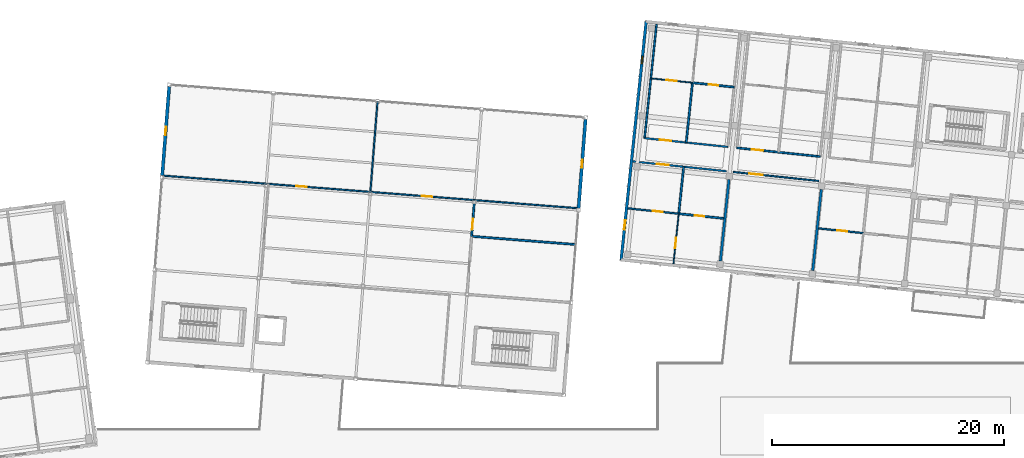
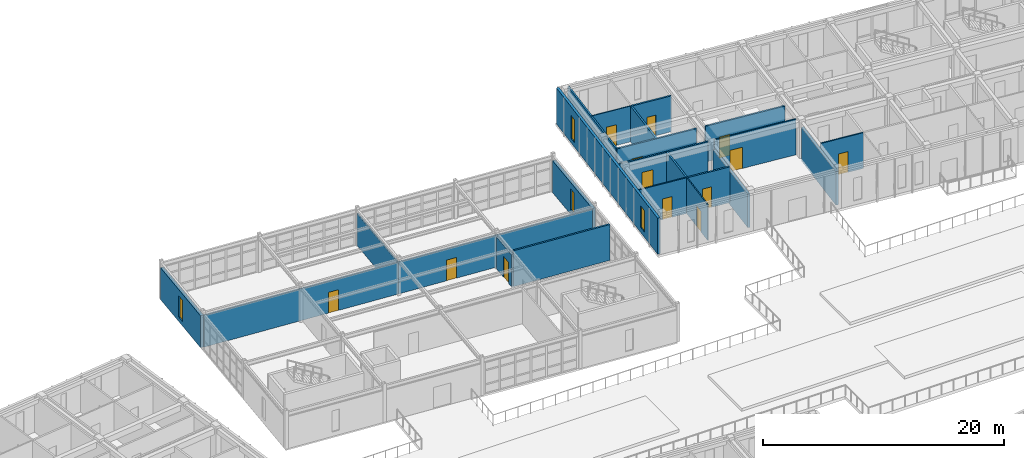
# One storey, part 98 of 150: 23 walls, 13 doors, 4 windows, 17 openings.
"""IFC4 building model written with IfcOpenShell, lengths in metres."""

from ifc_helpers import new_model, si_unit, direction, frame, frame_2d, origin, place, context, subcontext, project, spatial, rectangle, extrude, material, layer, layer_set, type_object, element, fill, save


model = new_model("IFC4")

# Units and contexts
model_context = context("Model", 3, precision=1e-05, world=origin(), true_north=direction((0.0, 1.0)))
body_context = subcontext(model_context, "Body", "Model", "MODEL_VIEW")
ifc_project = project(units=[si_unit("LENGTHUNIT", "METRE"), si_unit("AREAUNIT", "SQUARE_METRE"), si_unit("VOLUMEUNIT", "CUBIC_METRE"), si_unit("PLANEANGLEUNIT", "RADIAN"), si_unit("MASSUNIT", "GRAM", prefix="KILO")], contexts=[model_context])

# Site, building, storey
site_placement = place(None, origin())
site = spatial("IfcSite", under=ifc_project, at=site_placement, CompositionType="ELEMENT")
building_placement = place(site_placement, origin())
building = spatial("IfcBuilding", under=site, at=building_placement, Name="Kestramere Prow Commons", CompositionType="ELEMENT")
storey_placement = place(building_placement, frame((0.0, 0.0, 4.5)))
storey = spatial("IfcBuildingStorey", under=building, at=storey_placement, Name="L01", CompositionType="ELEMENT", Elevation=4.5)

# Wall, opening, window
ifc_material_1 = material(Name="Precast concrete C40/50", Category="concrete")
ifc_layer_1 = layer(ifc_material_1, 0.280029296875)
ifc_layer_set_1 = layer_set([ifc_layer_1], Name="Precast concrete C40/50")
wall_type_1 = type_object("IfcWallType", Name="EW-CIVIC-280", PredefinedType="SOLIDWALL", material=ifc_layer_set_1)
wall_1_placement = place(storey_placement, frame((69.8671875, 101.60009765625, 0.0), z_axis=(0.0, 0.0, 1.0), x_axis=(0.078442108986, 0.996918670473, 0.0)))
wall_1 = element("IfcWall", 1, at=wall_1_placement, inside=storey, type_object=wall_type_1, Name="Nursery L01 W Wall 3", PredefinedType="SOLIDWALL", context=body_context, shape_type="SweptSolid", body=[
    extrude(rectangle(XDim=7.699951171875, YDim=0.280029296875, at=frame_2d((3.85009765625, 0.0))), origin(), (0.0, 0.0, 1.0), 3.22998046875),
])
opening_1_placement = place(wall_1_placement, frame((3.5, 0.0, 0.449951171875)))
opening_1 = element("IfcOpeningElement", 2, at=opening_1_placement, cuts=wall_1, Name="Opening WN-16", PredefinedType="OPENING", context=body_context, shape_type="SweptSolid", body=[
    extrude(rectangle(XDim=0.699951171875, YDim=2.139892578125, at=frame_2d((0.35009765625, 1.06982421875))), frame((0.0, 0.155029296875, 0.0), z_axis=(0.0, -1.0, 0.0), x_axis=(1.0, 0.0, 0.0)), (0.0, 0.0, 1.0), 0.31005859375),
])
ifc_material_2 = material(Name="Low-E Laminated Double Glazing", Category="glass")
window_type_1 = type_object("IfcWindowType", Name="WN-CIV-700", PartitioningType="SINGLE_PANEL", PredefinedType="WINDOW", material=ifc_material_2)
window_1_placement = place(opening_1_placement, origin())
window_1 = element("IfcWindow", 3, at=window_1_placement, inside=storey, type_object=window_type_1, Name="WN-NR-L01-W-2", OverallHeight=2.139892578125, OverallWidth=0.699951171875, PartitioningType="SINGLE_PANEL", PredefinedType="WINDOW", context=body_context, shape_type="SweptSolid", body=[
    extrude(rectangle(XDim=0.699951171875, YDim=2.139892578125, at=frame_2d((0.35009765625, 1.06982421875))), frame((0.0, 0.030029296875, 0.0), z_axis=(0.0, -1.0, 0.0), x_axis=(1.0, 0.0, 0.0)), (0.0, 0.0, 1.0), 0.06005859375),
])
fill(opening_1, window_1)

wall_2_placement = place(storey_placement, frame((106.3603515625, 106.451904296875, 0.0), z_axis=(0.0, 0.0, 1.0), x_axis=(-0.078473620365, -0.996916190513, 0.0)))
wall_2 = element("IfcWall", 4, at=wall_2_placement, inside=storey, type_object=wall_type_1, Name="Nursery L01 E Wall 3", PredefinedType="SOLIDWALL", context=body_context, shape_type="SweptSolid", body=[
    extrude(rectangle(XDim=7.699951171875, YDim=0.280029296875, at=frame_2d((3.85009765625, 0.0))), origin(), (0.0, 0.0, 1.0), 3.22998046875),
])
opening_2_placement = place(wall_2_placement, frame((3.5, 0.0, 0.449951171875)))
opening_2 = element("IfcOpeningElement", 5, at=opening_2_placement, cuts=wall_2, Name="Opening WN-16", PredefinedType="OPENING", context=body_context, shape_type="SweptSolid", body=[
    extrude(rectangle(XDim=0.699951171875, YDim=2.139892578125, at=frame_2d((0.35009765625, 1.06982421875))), frame((0.0, 0.155029296875, 0.0), z_axis=(0.0, -1.0, 0.0), x_axis=(1.0, 0.0, 0.0)), (0.0, 0.0, 1.0), 0.31005859375),
])
window_2_placement = place(opening_2_placement, origin())
window_2 = element("IfcWindow", 6, at=window_2_placement, inside=storey, type_object=window_type_1, Name="WN-NR-L01-E-2", OverallHeight=2.139892578125, OverallWidth=0.699951171875, PartitioningType="SINGLE_PANEL", PredefinedType="WINDOW", context=body_context, shape_type="SweptSolid", body=[
    extrude(rectangle(XDim=0.699951171875, YDim=2.139892578125, at=frame_2d((0.35009765625, 1.06982421875))), frame((0.0, 0.030029296875, 0.0), z_axis=(0.0, -1.0, 0.0), x_axis=(1.0, 0.0, 0.0)), (0.0, 0.0, 1.0), 0.06005859375),
])
fill(opening_2, window_2)

# Wall, openings, windows
ifc_material_3 = material(Name="Fluoropolymer Standing-Seam Zinc-Aluminium Cladding", Category="aluminium")
ifc_layer_2 = layer(ifc_material_3, 0.239990234375)
ifc_layer_set_2 = layer_set([ifc_layer_2], Name="Fluoropolymer Standing-Seam Zinc-Aluminium Cladding")
wall_type_2 = type_object("IfcWallType", Name="EW-SEAM-240", PredefinedType="SOLIDWALL", material=ifc_layer_set_2)
wall_3_placement = place(storey_placement, frame((109.423095703125, 94.332763671875, 0.0), z_axis=(0.0, 0.0, 1.0), x_axis=(0.1045253859, 0.994522218808, 0.0)))
wall_3 = element("IfcWall", 7, at=wall_3_placement, inside=storey, type_object=wall_type_2, Name="Block B L01 EAV Facet Wall", PredefinedType="SOLIDWALL", context=body_context, shape_type="SweptSolid", body=[
    extrude(rectangle(XDim=20.64990234375, YDim=0.239990234375, at=frame_2d((10.324951171875, 0.0))), origin(), (0.0, 0.0, 1.0), 3.64990234375),
])
opening_3_placement = place(wall_3_placement, frame((2.6298828125, 0.0, 0.52001953125)))
opening_3 = element("IfcOpeningElement", 8, at=opening_3_placement, cuts=wall_3, Name="Opening WN-13", PredefinedType="OPENING", context=body_context, shape_type="SweptSolid", body=[
    extrude(rectangle(XDim=0.820068359375, YDim=2.179931640625, at=frame_2d((0.41015625, 1.08984375))), frame((0.0, 0.135009765625, 0.0), z_axis=(0.0, -1.0, 0.0), x_axis=(1.0, 0.0, 0.0)), (0.0, 0.0, 1.0), 0.27001953125),
])
opening_4_placement = place(wall_3_placement, frame((17.0, 0.0, 0.449951171875)))
opening_4 = element("IfcOpeningElement", 9, at=opening_4_placement, cuts=wall_3, Name="Opening WN-05", PredefinedType="OPENING", context=body_context, shape_type="SweptSolid", body=[
    extrude(rectangle(XDim=0.659912109375, YDim=2.320068359375, at=frame_2d((0.330078125, 1.16015625))), frame((0.0, 0.135009765625, 0.0), z_axis=(0.0, -1.0, 0.0), x_axis=(1.0, 0.0, 0.0)), (0.0, 0.0, 1.0), 0.27001953125),
])
window_type_2 = type_object("IfcWindowType", Name="WN-NAR-660A", PartitioningType="SINGLE_PANEL", PredefinedType="WINDOW", material=ifc_material_2)
window_3_placement = place(opening_4_placement, origin())
window_3 = element("IfcWindow", 10, at=window_3_placement, inside=storey, type_object=window_type_2, Name="WN-B-L01-EAV-1", OverallHeight=2.320068359375, OverallWidth=0.659912109375, PartitioningType="SINGLE_PANEL", PredefinedType="WINDOW", context=body_context, shape_type="SweptSolid", body=[
    extrude(rectangle(XDim=0.659912109375, YDim=2.320068359375, at=frame_2d((0.330078125, 1.16015625))), frame((0.0, 0.030029296875, 0.0), z_axis=(0.0, -1.0, 0.0), x_axis=(1.0, 0.0, 0.0)), (0.0, 0.0, 1.0), 0.06005859375),
])
fill(opening_4, window_3)
window_type_3 = type_object("IfcWindowType", Name="WN-NAR-820A", PartitioningType="DOUBLE_PANEL_VERTICAL", PredefinedType="WINDOW", material=ifc_material_2)
window_4_placement = place(opening_3_placement, origin())
window_4 = element("IfcWindow", 11, at=window_4_placement, inside=storey, type_object=window_type_3, Name="WN-B-L01-EAV-0", OverallHeight=2.179931640625, OverallWidth=0.820068359375, PartitioningType="SINGLE_PANEL", PredefinedType="WINDOW", context=body_context, shape_type="SweptSolid", body=[
    extrude(rectangle(XDim=0.820068359375, YDim=2.179931640625, at=frame_2d((0.41015625, 1.08984375))), frame((0.0, 0.030029296875, 0.0), z_axis=(0.0, -1.0, 0.0), x_axis=(1.0, 0.0, 0.0)), (0.0, 0.0, 1.0), 0.06005859375),
])
fill(opening_3, window_4)

# Wall, opening, door
ifc_material_4 = material(Name="Fire-Rated Calcium Silicate Wall")
ifc_layer_3 = layer(ifc_material_4, 0.155029296875)
ifc_layer_set_3 = layer_set([ifc_layer_3], Name="Fire-Rated Calcium Silicate Wall")
wall_type_3 = type_object("IfcWallType", Name="W-FIRE-150", PredefinedType="PARTITIONING", material=ifc_layer_set_3)
wall_4_placement = place(storey_placement, frame((110.445556640625, 102.8173828125, 0.0), z_axis=(0.0, 0.0, 1.0), x_axis=(0.994522594842, -0.104521808006, 0.0)))
wall_4 = element("IfcWall", 12, at=wall_4_placement, inside=storey, type_object=wall_type_3, Name="Interior Partition PW-B-L01-CS-0", PredefinedType="PARTITIONING", context=body_context, shape_type="SweptSolid", body=[
    extrude(rectangle(XDim=8.10986328125, YDim=0.155029296875, at=frame_2d((4.054931640625, 0.0))), origin(), (0.0, 0.0, 1.0), 3.6201171875),
])
opening_5_placement = place(wall_4_placement, frame((2.0849609375, 0.0, 0.0)))
opening_5 = element("IfcOpeningElement", 13, at=opening_5_placement, cuts=wall_4, Name="Opening ID-05", PredefinedType="OPENING", context=body_context, shape_type="SweptSolid", body=[
    extrude(rectangle(XDim=1.02001953125, YDim=2.199951171875, at=frame_2d((0.510009765625, 1.10009765625))), frame((0.0, 0.092529296875, 0.0), z_axis=(0.0, -1.0, 0.0), x_axis=(1.0, 0.0, 0.0)), (0.0, 0.0, 1.0), 0.18505859375),
])
ifc_material_5 = material(Name="Hardwood Fire-Rated Flat Entrance Door", Category="wood")
door_type_1 = type_object("IfcDoorType", Name="FD-ENT-02", OperationType="NOTDEFINED", PredefinedType="DOOR", material=ifc_material_5)
door_1_placement = place(opening_5_placement, origin())
door_1 = element("IfcDoor", 14, at=door_1_placement, inside=storey, type_object=door_type_1, Name="Interior Door DR-B-L01-ENT-S0", OperationType="SINGLE_SWING_RIGHT", OverallHeight=2.199951171875, OverallWidth=1.02001953125, PredefinedType="DOOR", context=body_context, shape_type="SweptSolid", body=[
    extrude(rectangle(XDim=1.02001953125, YDim=2.199951171875, at=frame_2d((0.510009765625, 1.10009765625))), frame((0.0, 0.02490234375, 0.0), z_axis=(0.0, -1.0, 0.0), x_axis=(1.0, 0.0, 0.0)), (0.0, 0.0, 1.0), 0.050048828125),
])
fill(opening_5, door_1)

wall_5_placement = place(storey_placement, frame((111.44580078125, 104.82373046875, 0.0), z_axis=(0.0, 0.0, 1.0), x_axis=(0.994522671024, -0.104521083137, 0.0)))
wall_5 = element("IfcWall", 15, at=wall_5_placement, inside=storey, type_object=wall_type_3, Name="Interior Partition PW-B-L01-CN-0", PredefinedType="PARTITIONING", context=body_context, shape_type="SweptSolid", body=[
    extrude(rectangle(XDim=7.219970703125, YDim=0.155029296875, at=frame_2d((3.60986328125, 0.0))), origin(), (0.0, 0.0, 1.0), 3.6201171875),
])
opening_6_placement = place(wall_5_placement, frame((1.304931640625, 0.0, 0.0)))
opening_6 = element("IfcOpeningElement", 16, at=opening_6_placement, cuts=wall_5, Name="Opening ID-05", PredefinedType="OPENING", context=body_context, shape_type="SweptSolid", body=[
    extrude(rectangle(XDim=1.02001953125, YDim=2.199951171875, at=frame_2d((0.510009765625, 1.10009765625))), frame((0.0, 0.092529296875, 0.0), z_axis=(0.0, -1.0, 0.0), x_axis=(1.0, 0.0, 0.0)), (0.0, 0.0, 1.0), 0.18505859375),
])
door_2_placement = place(opening_6_placement, origin())
door_2 = element("IfcDoor", 17, at=door_2_placement, inside=storey, type_object=door_type_1, Name="Interior Door DR-B-L01-ENT-N0", OperationType="SINGLE_SWING_RIGHT", OverallHeight=2.199951171875, OverallWidth=1.02001953125, PredefinedType="DOOR", context=body_context, shape_type="SweptSolid", body=[
    extrude(rectangle(XDim=1.02001953125, YDim=2.199951171875, at=frame_2d((0.510009765625, 1.10009765625))), frame((0.0, 0.02490234375, 0.0), z_axis=(0.0, -1.0, 0.0), x_axis=(1.0, 0.0, 0.0)), (0.0, 0.0, 1.0), 0.050048828125),
])
fill(opening_6, door_2)

wall_6_placement = place(storey_placement, frame((119.40185546875, 103.987548828125, 0.0), z_axis=(0.0, 0.0, 1.0), x_axis=(0.994522671024, -0.104521083137, 0.0)))
wall_6 = element("IfcWall", 18, at=wall_6_placement, inside=storey, type_object=wall_type_3, Name="Interior Partition PW-B-L01-CN-1", PredefinedType="PARTITIONING", context=body_context, shape_type="SweptSolid", body=[
    extrude(rectangle(XDim=7.219970703125, YDim=0.155029296875, at=frame_2d((3.60986328125, 0.0))), origin(), (0.0, 0.0, 1.0), 3.6201171875),
])
opening_7_placement = place(wall_6_placement, frame((1.304931640625, 0.0, 0.0)))
opening_7 = element("IfcOpeningElement", 19, at=opening_7_placement, cuts=wall_6, Name="Opening ID-04", PredefinedType="OPENING", context=body_context, shape_type="SweptSolid", body=[
    extrude(rectangle(XDim=0.97998046875, YDim=2.14990234375, at=frame_2d((0.489990234375, 1.074951171875))), frame((0.0, 0.092529296875, 0.0), z_axis=(0.0, -1.0, 0.0), x_axis=(1.0, 0.0, 0.0)), (0.0, 0.0, 1.0), 0.18505859375),
])
door_type_2 = type_object("IfcDoorType", Name="FD-ENT-01", OperationType="NOTDEFINED", PredefinedType="DOOR", material=ifc_material_5)
door_3_placement = place(opening_7_placement, origin())
door_3 = element("IfcDoor", 20, at=door_3_placement, inside=storey, type_object=door_type_2, Name="Interior Door DR-B-L01-ENT-N1", OperationType="SINGLE_SWING_LEFT", OverallHeight=2.14990234375, OverallWidth=0.97998046875, PredefinedType="DOOR", context=body_context, shape_type="SweptSolid", body=[
    extrude(rectangle(XDim=0.97998046875, YDim=2.14990234375, at=frame_2d((0.489990234375, 1.074951171875))), frame((0.0, 0.02490234375, 0.0), z_axis=(0.0, -1.0, 0.0), x_axis=(1.0, 0.0, 0.0)), (0.0, 0.0, 1.0), 0.050048828125),
])
fill(opening_7, door_3)

ifc_material_6 = material(Name="Lightweight Blockwork and Plaster", Category="masonry")
ifc_layer_4 = layer(ifc_material_6, 0.1201171875)
ifc_layer_set_4 = layer_set([ifc_layer_4], Name="Lightweight Blockwork and Plaster")
wall_type_4 = type_object("IfcWallType", Name="W-PART-120", PredefinedType="PARTITIONING", material=ifc_layer_set_4)
wall_7_placement = place(storey_placement, frame((70.026611328125, 101.587646484375, 0.0), z_axis=(0.0, 0.0, 1.0), x_axis=(0.996917529869, -0.078456603549, 0.0)))
wall_7 = element("IfcWall", 21, at=wall_7_placement, inside=storey, type_object=wall_type_4, Name="Interior Partition PW-NR-L01-CN1", PredefinedType="PARTITIONING", context=body_context, shape_type="SweptSolid", body=[
    extrude(rectangle(XDim=17.83984375, YDim=0.1201171875, at=frame_2d((8.919921875, 0.0))), origin(), (0.0, 0.0, 1.0), 3.24365234375),
])
opening_8_placement = place(wall_7_placement, frame((11.449951171875, 0.0, 0.0)))
opening_8 = element("IfcOpeningElement", 22, at=opening_8_placement, cuts=wall_7, Name="Opening ID-08", PredefinedType="OPENING", context=body_context, shape_type="SweptSolid", body=[
    extrude(rectangle(XDim=0.89990234375, YDim=2.10009765625, at=frame_2d((0.449951171875, 1.050048828125))), frame((0.0, 0.074951171875, 0.0), z_axis=(0.0, -1.0, 0.0), x_axis=(1.0, 0.0, 0.0)), (0.0, 0.0, 1.0), 0.150146484375),
])
ifc_material_7 = material(Name="Engineered Timber Flush Door", Category="wood")
door_type_3 = type_object("IfcDoorType", Name="D-RM-01", OperationType="NOTDEFINED", PredefinedType="DOOR", material=ifc_material_7)
door_4_placement = place(opening_8_placement, origin())
door_4 = element("IfcDoor", 23, at=door_4_placement, inside=storey, type_object=door_type_3, Name="Interior Door DR-NR-L01-N1", OperationType="SINGLE_SWING_RIGHT", OverallHeight=2.10009765625, OverallWidth=0.89990234375, PredefinedType="DOOR", context=body_context, shape_type="SweptSolid", body=[
    extrude(rectangle(XDim=0.89990234375, YDim=2.10009765625, at=frame_2d((0.449951171875, 1.050048828125))), frame((0.0, 0.02490234375, 0.0), z_axis=(0.0, -1.0, 0.0), x_axis=(1.0, 0.0, 0.0)), (0.0, 0.0, 1.0), 0.050048828125),
])
fill(opening_8, door_4)

wall_8_placement = place(storey_placement, frame((87.8115234375, 100.18798828125, 0.0), z_axis=(0.0, 0.0, 1.0), x_axis=(0.996917614105, -0.078455533188, 0.0)))
wall_8 = element("IfcWall", 24, at=wall_8_placement, inside=storey, type_object=wall_type_4, Name="Interior Partition PW-NR-L01-CN2", PredefinedType="PARTITIONING", context=body_context, shape_type="SweptSolid", body=[
    extrude(rectangle(XDim=17.840087890625, YDim=0.1201171875, at=frame_2d((8.919921875, 0.0))), origin(), (0.0, 0.0, 1.0), 3.24365234375),
])
opening_9_placement = place(wall_8_placement, frame((4.449951171875, 0.0, 0.0)))
opening_9 = element("IfcOpeningElement", 25, at=opening_9_placement, cuts=wall_8, Name="Opening ID-08", PredefinedType="OPENING", context=body_context, shape_type="SweptSolid", body=[
    extrude(rectangle(XDim=0.89990234375, YDim=2.10009765625, at=frame_2d((0.449951171875, 1.050048828125))), frame((0.0, 0.074951171875, 0.0), z_axis=(0.0, -1.0, 0.0), x_axis=(1.0, 0.0, 0.0)), (0.0, 0.0, 1.0), 0.150146484375),
])
door_5_placement = place(opening_9_placement, origin())
door_5 = element("IfcDoor", 26, at=door_5_placement, inside=storey, type_object=door_type_3, Name="Interior Door DR-NR-L01-N2", OperationType="SINGLE_SWING_LEFT", OverallHeight=2.10009765625, OverallWidth=0.89990234375, PredefinedType="DOOR", context=body_context, shape_type="SweptSolid", body=[
    extrude(rectangle(XDim=0.89990234375, YDim=2.10009765625, at=frame_2d((0.449951171875, 1.050048828125))), frame((0.0, 0.02490234375, 0.0), z_axis=(0.0, -1.0, 0.0), x_axis=(1.0, 0.0, 0.0)), (0.0, 0.0, 1.0), 0.050048828125),
])
fill(opening_9, door_5)

# Wall
wall_9_placement = place(storey_placement, frame((87.8115234375, 100.18798828125, 0.0), z_axis=(0.0, 0.0, 1.0), x_axis=(0.078462944011, 0.996917030859, 0.0)))
element("IfcWall", 27, at=wall_9_placement, inside=storey, type_object=wall_type_4, Name="Interior Partition PW-NR-L01-DIVN", PredefinedType="PARTITIONING", context=body_context, shape_type="SweptSolid", body=[
    extrude(rectangle(XDim=7.81005859375, YDim=0.1201171875, at=frame_2d((3.905029296875, 0.0))), origin(), (0.0, 0.0, 1.0), 3.24365234375),
])

# Wall, opening, door
wall_10_placement = place(storey_placement, frame((119.077880859375, 101.91015625, 0.0), z_axis=(0.0, 0.0, 1.0), x_axis=(0.99451912784, -0.104554791185, 0.0)))
wall_10 = element("IfcWall", 28, at=wall_10_placement, inside=storey, type_object=wall_type_4, Name="Interior Partition PW-B-L01-CRT-CS", PredefinedType="PARTITIONING", context=body_context, shape_type="SweptSolid", body=[
    extrude(rectangle(XDim=7.43017578125, YDim=0.1201171875, at=frame_2d((3.715087890625, 0.0))), origin(), (0.0, 0.0, 1.0), 3.6201171875),
])
opening_10_placement = place(wall_10_placement, frame((1.39990234375, 0.0, 0.0)))
opening_10 = element("IfcOpeningElement", 29, at=opening_10_placement, cuts=wall_10, Name="Opening ID-09", PredefinedType="OPENING", context=body_context, shape_type="SweptSolid", body=[
    extrude(rectangle(XDim=1.14990234375, YDim=2.14990234375, at=frame_2d((0.574951171875, 1.074951171875))), frame((0.0, 0.074951171875, 0.0), z_axis=(0.0, -1.0, 0.0), x_axis=(1.0, 0.0, 0.0)), (0.0, 0.0, 1.0), 0.150146484375),
])
ifc_material_8 = material(Name="Engineered Timber Acoustic Door", Category="wood")
door_type_4 = type_object("IfcDoorType", Name="D-RM-02", OperationType="NOTDEFINED", PredefinedType="DOOR", material=ifc_material_8)
door_6_placement = place(opening_10_placement, origin())
door_6 = element("IfcDoor", 30, at=door_6_placement, inside=storey, type_object=door_type_4, Name="Interior Door DR-B-L01-CRTLNG", OperationType="SINGLE_SWING_LEFT", OverallHeight=2.14990234375, OverallWidth=1.14990234375, PredefinedType="DOOR", context=body_context, shape_type="SweptSolid", body=[
    extrude(rectangle(XDim=1.14990234375, YDim=2.14990234375, at=frame_2d((0.574951171875, 1.074951171875))), frame((0.0, 0.02490234375, 0.0), z_axis=(0.0, -1.0, 0.0), x_axis=(1.0, 0.0, 0.0)), (0.0, 0.0, 1.0), 0.050048828125),
])
fill(opening_10, door_6)

ifc_layer_5 = layer(ifc_material_6, 0.1298828125)
ifc_layer_set_5 = layer_set([ifc_layer_5], Name="Lightweight Blockwork and Plaster")
wall_type_5 = type_object("IfcWallType", Name="W-PART-130", PredefinedType="PARTITIONING", material=ifc_layer_set_5)
wall_11_placement = place(storey_placement, frame((110.02001953125, 98.76953125, 0.0), z_axis=(0.0, 0.0, 1.0), x_axis=(0.994525828039, -0.104491039633, 0.0)))
wall_11 = element("IfcWall", 31, at=wall_11_placement, inside=storey, type_object=wall_type_5, Name="Interior Partition PW-B-L01-MIDS1-0", PredefinedType="PARTITIONING", context=body_context, shape_type="SweptSolid", body=[
    extrude(rectangle(XDim=4.39501953125, YDim=0.1298828125, at=frame_2d((2.197509765625, 0.0))), origin(), (0.0, 0.0, 1.0), 3.6201171875),
])
opening_11_placement = place(wall_11_placement, frame((2.135009765625, 0.0, 0.0)))
opening_11 = element("IfcOpeningElement", 32, at=opening_11_placement, cuts=wall_11, Name="Opening ID-10", PredefinedType="OPENING", context=body_context, shape_type="SweptSolid", body=[
    extrude(rectangle(XDim=0.8798828125, YDim=2.10009765625, at=frame_2d((0.43994140625, 1.050048828125))), frame((0.0, 0.079833984375, 0.0), z_axis=(0.0, -1.0, 0.0), x_axis=(1.0, 0.0, 0.0)), (0.0, 0.0, 1.0), 0.159912109375),
])
ifc_material_9 = material(Name="Engineered Timber Bedroom Door", Category="wood")
door_type_5 = type_object("IfcDoorType", Name="D-RM-03", OperationType="NOTDEFINED", PredefinedType="DOOR", material=ifc_material_9)
door_7_placement = place(opening_11_placement, origin())
door_7 = element("IfcDoor", 33, at=door_7_placement, inside=storey, type_object=door_type_5, Name="Interior Door DR-B-L01-KL-S0", OperationType="SINGLE_SWING_RIGHT", OverallHeight=2.10009765625, OverallWidth=0.8798828125, PredefinedType="DOOR", context=body_context, shape_type="SweptSolid", body=[
    extrude(rectangle(XDim=0.8798828125, YDim=2.10009765625, at=frame_2d((0.43994140625, 1.050048828125))), frame((0.0, 0.02490234375, 0.0), z_axis=(0.0, -1.0, 0.0), x_axis=(1.0, 0.0, 0.0)), (0.0, 0.0, 1.0), 0.050048828125),
])
fill(opening_11, door_7)

wall_12_placement = place(storey_placement, frame((126.439697265625, 97.0439453125, 0.0), z_axis=(0.0, 0.0, 1.0), x_axis=(0.994517154753, -0.104573557378, 0.0)))
wall_12 = element("IfcWall", 34, at=wall_12_placement, inside=storey, type_object=wall_type_5, Name="Interior Partition PW-B-L01-MIDS1-2", PredefinedType="PARTITIONING", context=body_context, shape_type="SweptSolid", body=[
    extrude(rectangle(XDim=3.884765625, YDim=0.1298828125, at=frame_2d((1.9423828125, 0.0))), origin(), (0.0, 0.0, 1.0), 3.6201171875),
])
opening_12_placement = place(wall_12_placement, frame((1.625, 0.0, 0.0)))
opening_12 = element("IfcOpeningElement", 35, at=opening_12_placement, cuts=wall_12, Name="Opening ID-10", PredefinedType="OPENING", context=body_context, shape_type="SweptSolid", body=[
    extrude(rectangle(XDim=0.8798828125, YDim=2.10009765625, at=frame_2d((0.43994140625, 1.050048828125))), frame((0.0, 0.079833984375, 0.0), z_axis=(0.0, -1.0, 0.0), x_axis=(1.0, 0.0, 0.0)), (0.0, 0.0, 1.0), 0.159912109375),
])
door_8_placement = place(opening_12_placement, origin())
door_8 = element("IfcDoor", 36, at=door_8_placement, inside=storey, type_object=door_type_5, Name="Interior Door DR-B-L01-KL-S2", OperationType="SINGLE_SWING_RIGHT", OverallHeight=2.10009765625, OverallWidth=0.8798828125, PredefinedType="DOOR", context=body_context, shape_type="SweptSolid", body=[
    extrude(rectangle(XDim=0.8798828125, YDim=2.10009765625, at=frame_2d((0.43994140625, 1.050048828125))), frame((0.0, 0.02490234375, 0.0), z_axis=(0.0, -1.0, 0.0), x_axis=(1.0, 0.0, 0.0)), (0.0, 0.0, 1.0), 0.050048828125),
])
fill(opening_12, door_8)

# Wall
ifc_material_10 = material(Name="Masonry Compartment Wall", Category="masonry")
ifc_layer_6 = layer(ifc_material_10, 0.14990234375)
ifc_layer_set_6 = layer_set([ifc_layer_6], Name="Masonry Compartment Wall")
wall_type_6 = type_object("IfcWallType", Name="W-PART-150", PredefinedType="PARTITIONING", material=ifc_layer_set_6)
wall_13_placement = place(storey_placement, frame((111.44580078125, 104.82373046875, 0.0), z_axis=(0.0, 0.0, 1.0), x_axis=(0.104508379977, 0.994524006002, 0.0)))
element("IfcWall", 37, at=wall_13_placement, inside=storey, type_object=wall_type_6, Name="Interior Partition PW-B-L01-NWL-0", PredefinedType="PARTITIONING", context=body_context, shape_type="SweptSolid", body=[
    extrude(rectangle(XDim=9.869873046875, YDim=0.14990234375, at=frame_2d((4.93505859375, 0.0))), origin(), (0.0, 0.0, 1.0), 3.6201171875),
])

# Wall, opening, door
ifc_material_11 = material(Name="Gypsum Acoustic Drywall")
ifc_layer_7 = layer(ifc_material_11, 0.094970703125)
ifc_layer_set_7 = layer_set([ifc_layer_7], Name="Gypsum Acoustic Drywall")
wall_type_7 = type_object("IfcWallType", Name="W-PART-95", PredefinedType="PARTITIONING", material=ifc_layer_set_7)
wall_14_placement = place(storey_placement, frame((113.937255859375, 93.994140625, 0.0), z_axis=(0.0, 0.0, 1.0), x_axis=(0.104520797474, 0.994522701046, 0.0)))
wall_14 = element("IfcWall", 38, at=wall_14_placement, inside=storey, type_object=wall_type_7, Name="Interior Partition PW-B-L01-LB-S0", PredefinedType="PARTITIONING", context=body_context, shape_type="SweptSolid", body=[
    extrude(rectangle(XDim=4.33984375, YDim=0.094970703125, at=frame_2d((2.169921875, 0.0))), origin(), (0.0, 0.0, 1.0), 3.6201171875),
])
opening_13_placement = place(wall_14_placement, frame((1.35009765625, 0.0, 0.0)))
opening_13 = element("IfcOpeningElement", 39, at=opening_13_placement, cuts=wall_14, Name="Opening ID-08", PredefinedType="OPENING", context=body_context, shape_type="SweptSolid", body=[
    extrude(rectangle(XDim=0.89990234375, YDim=2.10009765625, at=frame_2d((0.449951171875, 1.050048828125))), frame((0.0, 0.0625, 0.0), z_axis=(0.0, -1.0, 0.0), x_axis=(1.0, 0.0, 0.0)), (0.0, 0.0, 1.0), 0.125),
])
door_9_placement = place(opening_13_placement, origin())
door_9 = element("IfcDoor", 40, at=door_9_placement, inside=storey, type_object=door_type_3, Name="Interior Door DR-B-L01-BED-S0", OperationType="SINGLE_SWING_LEFT", OverallHeight=2.10009765625, OverallWidth=0.89990234375, PredefinedType="DOOR", context=body_context, shape_type="SweptSolid", body=[
    extrude(rectangle(XDim=0.89990234375, YDim=2.10009765625, at=frame_2d((0.449951171875, 1.050048828125))), frame((0.0, 0.02490234375, 0.0), z_axis=(0.0, -1.0, 0.0), x_axis=(1.0, 0.0, 0.0)), (0.0, 0.0, 1.0), 0.050048828125),
])
fill(opening_13, door_9)

wall_15_placement = place(storey_placement, frame((111.987060546875, 109.975341796875, 0.0), z_axis=(0.0, 0.0, 1.0), x_axis=(0.994526554618, -0.104484123955, 0.0)))
wall_15 = element("IfcWall", 41, at=wall_15_placement, inside=storey, type_object=wall_type_7, Name="Interior Partition PW-B-L01-MIDN1-0", PredefinedType="PARTITIONING", context=body_context, shape_type="SweptSolid", body=[
    extrude(rectangle(XDim=3.610107421875, YDim=0.094970703125, at=frame_2d((1.80517578125, 0.0))), origin(), (0.0, 0.0, 1.0), 3.6201171875),
])
opening_14_placement = place(wall_15_placement, frame((1.35498046875, 0.0, 0.0)))
opening_14 = element("IfcOpeningElement", 42, at=opening_14_placement, cuts=wall_15, Name="Opening ID-08", PredefinedType="OPENING", context=body_context, shape_type="SweptSolid", body=[
    extrude(rectangle(XDim=0.89990234375, YDim=2.10009765625, at=frame_2d((0.449951171875, 1.050048828125))), frame((0.0, 0.0625, 0.0), z_axis=(0.0, -1.0, 0.0), x_axis=(1.0, 0.0, 0.0)), (0.0, 0.0, 1.0), 0.125),
])
door_10_placement = place(opening_14_placement, origin())
door_10 = element("IfcDoor", 43, at=door_10_placement, inside=storey, type_object=door_type_3, Name="Interior Door DR-B-L01-KL-N0", OperationType="SINGLE_SWING_LEFT", OverallHeight=2.10009765625, OverallWidth=0.89990234375, PredefinedType="DOOR", context=body_context, shape_type="SweptSolid", body=[
    extrude(rectangle(XDim=0.89990234375, YDim=2.10009765625, at=frame_2d((0.449951171875, 1.050048828125))), frame((0.0, 0.02490234375, 0.0), z_axis=(0.0, -1.0, 0.0), x_axis=(1.0, 0.0, 0.0)), (0.0, 0.0, 1.0), 0.050048828125),
])
fill(opening_14, door_10)

ifc_material_12 = material(Name="Waterproof Sanitary Masonry Wall", Category="masonry")
ifc_layer_8 = layer(ifc_material_12, 0.1650390625)
ifc_layer_set_8 = layer_set([ifc_layer_8], Name="Waterproof Sanitary Masonry Wall")
wall_type_8 = type_object("IfcWallType", Name="W-PLUMB-150", PredefinedType="PLUMBINGWALL", material=ifc_layer_set_8)
wall_16_placement = place(storey_placement, frame((96.538330078125, 96.361572265625, 0.0), z_axis=(0.0, 0.0, 1.0), x_axis=(0.078437571766, 0.996919027472, 0.0)))
wall_16 = element("IfcWall", 44, at=wall_16_placement, inside=storey, type_object=wall_type_8, Name="Interior Partition PW-NR-L01-CE2", PredefinedType="PLUMBINGWALL", context=body_context, shape_type="SweptSolid", body=[
    extrude(rectangle(XDim=2.820068359375, YDim=0.1650390625, at=frame_2d((1.41015625, 0.0))), origin(), (0.0, 0.0, 1.0), 3.24365234375),
])
opening_15_placement = place(wall_16_placement, frame((0.550048828125, 0.0, 0.0)))
opening_15 = element("IfcOpeningElement", 45, at=opening_15_placement, cuts=wall_16, Name="Opening ID-13", PredefinedType="OPENING", context=body_context, shape_type="SweptSolid", body=[
    extrude(rectangle(XDim=0.9599609375, YDim=2.1201171875, at=frame_2d((0.47998046875, 1.06005859375))), frame((0.0, 0.097412109375, 0.0), z_axis=(0.0, -1.0, 0.0), x_axis=(1.0, 0.0, 0.0)), (0.0, 0.0, 1.0), 0.195068359375),
])
ifc_material_13 = material(Name="Accessible Wide-Leaf Timber Door", Category="wood")
door_type_6 = type_object("IfcDoorType", Name="D-ACC-01", OperationType="NOTDEFINED", PredefinedType="DOOR", material=ifc_material_13)
door_11_placement = place(opening_15_placement, origin())
door_11 = element("IfcDoor", 46, at=door_11_placement, inside=storey, type_object=door_type_6, Name="Interior Door DR-NR-L01-AWC", OperationType="SINGLE_SWING_RIGHT", OverallHeight=2.1201171875, OverallWidth=0.9599609375, PredefinedType="DOOR", context=body_context, shape_type="SweptSolid", body=[
    extrude(rectangle(XDim=0.9599609375, YDim=2.1201171875, at=frame_2d((0.47998046875, 1.06005859375))), frame((0.0, 0.02490234375, 0.0), z_axis=(0.0, -1.0, 0.0), x_axis=(1.0, 0.0, 0.0)), (0.0, 0.0, 1.0), 0.050048828125),
])
fill(opening_15, door_11)

# Wall
wall_17_placement = place(storey_placement, frame((96.6279296875, 96.3544921875, 0.0), z_axis=(0.0, 0.0, 1.0), x_axis=(0.996916420474, -0.078470698917, 0.0)))
element("IfcWall", 47, at=wall_17_placement, inside=storey, type_object=wall_type_8, Name="Interior Partition PW-NR-L01-DIVWC", PredefinedType="PLUMBINGWALL", context=body_context, shape_type="SweptSolid", body=[
    extrude(rectangle(XDim=8.8701171875, YDim=0.1650390625, at=frame_2d((4.43505859375, 0.0))), origin(), (0.0, 0.0, 1.0), 3.6298828125),
])

# Wall, opening, door
wall_18_placement = place(storey_placement, frame((114.390869140625, 98.310302734375, 0.0), z_axis=(0.0, 0.0, 1.0), x_axis=(0.994517841934, -0.104567021925, 0.0)))
wall_18 = element("IfcWall", 48, at=wall_18_placement, inside=storey, type_object=wall_type_8, Name="Interior Partition PW-B-L01-MIDS2-0", PredefinedType="PLUMBINGWALL", context=body_context, shape_type="SweptSolid", body=[
    extrude(rectangle(XDim=3.885009765625, YDim=0.1650390625, at=frame_2d((1.9423828125, 0.0))), origin(), (0.0, 0.0, 1.0), 3.6201171875),
])
opening_16_placement = place(wall_18_placement, frame((1.39990234375, 0.0, 0.0)))
opening_16 = element("IfcOpeningElement", 49, at=opening_16_placement, cuts=wall_18, Name="Opening ID-11", PredefinedType="OPENING", context=body_context, shape_type="SweptSolid", body=[
    extrude(rectangle(XDim=0.820068359375, YDim=2.080078125, at=frame_2d((0.41015625, 1.0400390625))), frame((0.0, 0.097412109375, 0.0), z_axis=(0.0, -1.0, 0.0), x_axis=(1.0, 0.0, 0.0)), (0.0, 0.0, 1.0), 0.195068359375),
])
ifc_material_14 = material(Name="Moisture-Resistant Timber Bathroom Door", Category="wood")
door_type_7 = type_object("IfcDoorType", Name="D-BT-01", OperationType="NOTDEFINED", PredefinedType="DOOR", material=ifc_material_14)
door_12_placement = place(opening_16_placement, origin())
door_12 = element("IfcDoor", 50, at=door_12_placement, inside=storey, type_object=door_type_7, Name="Interior Door DR-B-L01-BTH-S0", OperationType="SINGLE_SWING_LEFT", OverallHeight=2.080078125, OverallWidth=0.820068359375, PredefinedType="DOOR", context=body_context, shape_type="SweptSolid", body=[
    extrude(rectangle(XDim=0.820068359375, YDim=2.080078125, at=frame_2d((0.41015625, 1.0400390625))), frame((0.0, 0.02490234375, 0.0), z_axis=(0.0, -1.0, 0.0), x_axis=(1.0, 0.0, 0.0)), (0.0, 0.0, 1.0), 0.050048828125),
])
fill(opening_16, door_12)

# Wall
wall_19_placement = place(storey_placement, frame((114.390869140625, 98.310302734375, 0.0), z_axis=(0.0, 0.0, 1.0), x_axis=(0.104556757316, 0.994518921137, 0.0)))
element("IfcWall", 51, at=wall_19_placement, inside=storey, type_object=wall_type_8, Name="Interior Partition PW-B-L01-KB-S0", PredefinedType="PLUMBINGWALL", context=body_context, shape_type="SweptSolid", body=[
    extrude(rectangle(XDim=4.06982421875, YDim=0.1650390625, at=frame_2d((2.034912109375, 0.0))), origin(), (0.0, 0.0, 1.0), 3.6201171875),
])

# Wall, opening, door
wall_20_placement = place(storey_placement, frame((115.577392578125, 109.59814453125, 0.0), z_axis=(0.0, 0.0, 1.0), x_axis=(0.994518785821, -0.104558044398, 0.0)))
wall_20 = element("IfcWall", 52, at=wall_20_placement, inside=storey, type_object=wall_type_8, Name="Interior Partition PW-B-L01-MIDN2-0", PredefinedType="PLUMBINGWALL", context=body_context, shape_type="SweptSolid", body=[
    extrude(rectangle(XDim=3.60986328125, YDim=0.1650390625, at=frame_2d((1.804931640625, 0.0))), origin(), (0.0, 0.0, 1.0), 3.6201171875),
])
opening_17_placement = place(wall_20_placement, frame((1.39501953125, 0.0, 0.0)))
opening_17 = element("IfcOpeningElement", 53, at=opening_17_placement, cuts=wall_20, Name="Opening ID-11", PredefinedType="OPENING", context=body_context, shape_type="SweptSolid", body=[
    extrude(rectangle(XDim=0.820068359375, YDim=2.080078125, at=frame_2d((0.41015625, 1.0400390625))), frame((0.0, 0.097412109375, 0.0), z_axis=(0.0, -1.0, 0.0), x_axis=(1.0, 0.0, 0.0)), (0.0, 0.0, 1.0), 0.195068359375),
])
door_13_placement = place(opening_17_placement, origin())
door_13 = element("IfcDoor", 54, at=door_13_placement, inside=storey, type_object=door_type_7, Name="Interior Door DR-B-L01-BTH-N0", OperationType="SINGLE_SWING_RIGHT", OverallHeight=2.080078125, OverallWidth=0.820068359375, PredefinedType="DOOR", context=body_context, shape_type="SweptSolid", body=[
    extrude(rectangle(XDim=0.820068359375, YDim=2.080078125, at=frame_2d((0.41015625, 1.0400390625))), frame((0.0, 0.02490234375, 0.0), z_axis=(0.0, -1.0, 0.0), x_axis=(1.0, 0.0, 0.0)), (0.0, 0.0, 1.0), 0.050048828125),
])
fill(opening_17, door_13)

# Walls
wall_21_placement = place(storey_placement, frame((115.035888671875, 104.446533203125, 0.0), z_axis=(0.0, 0.0, 1.0), x_axis=(0.104537578263, 0.994520937301, 0.0)))
element("IfcWall", 55, at=wall_21_placement, inside=storey, type_object=wall_type_8, Name="Interior Partition PW-B-L01-KB-N0", PredefinedType="PLUMBINGWALL", context=body_context, shape_type="SweptSolid", body=[
    extrude(rectangle(XDim=5.179931640625, YDim=0.1650390625, at=frame_2d((2.58984375, 0.0))), origin(), (0.0, 0.0, 1.0), 3.6201171875),
])
ifc_layer_9 = layer(ifc_material_1, 0.219970703125)
ifc_layer_set_9 = layer_set([ifc_layer_9], Name="Precast concrete C40/50")
wall_type_9 = type_object("IfcWallType", Name="W-XWALL-220", PredefinedType="SHEAR", material=ifc_layer_set_9)
for number, where, z_axis, x_axis, name in (
    (56, (117.98486328125, 94.2373046875, -0.25), (0.0, 0.0, 1.0), (0.104549582151, 0.994519675458, 0.0), "Block B L01 Precast Cross-Wall 1"),
    (57, (125.941162109375, 93.401123046875, -0.25), (0.0, 0.0, 1.0), (0.104515329964, 0.994523275646, 0.0), "Block B L01 Precast Cross-Wall 2"),
):
    element("IfcWall", number, at=place(storey_placement, frame(where, z_axis=z_axis, x_axis=x_axis)), inside=storey, type_object=wall_type_9, Name=name, PredefinedType="SHEAR", context=body_context, shape_type="SweptSolid", body=[
        extrude(rectangle(XDim=7.0498046875, YDim=0.219970703125, at=frame_2d((3.52490234375, 0.0))), origin(), (0.0, 0.0, 1.0), 3.39990234375),
    ])

save(model, "model.ifc")
